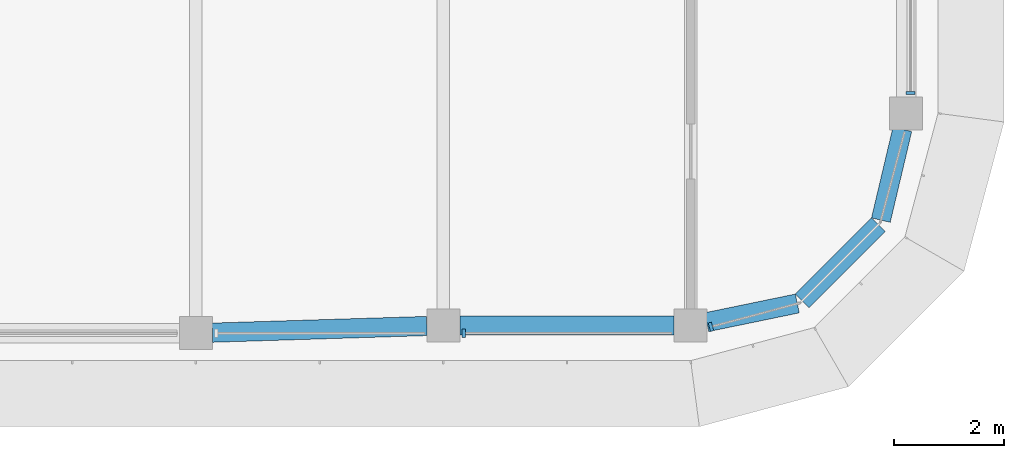
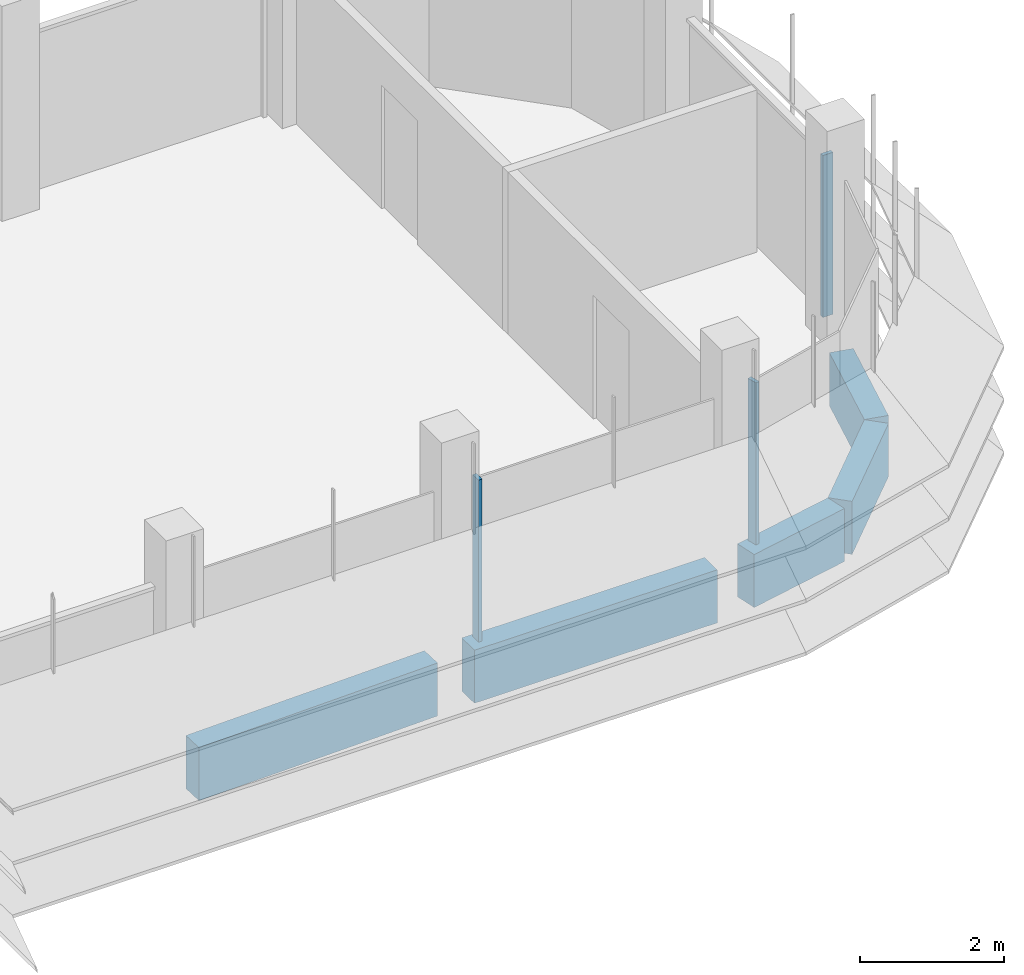
# One storey, part 5 of 19: 5 beams, 3 members, 3 elements without a shape of their own.
"""IFC4 building model written with IfcOpenShell, lengths in metres."""

from ifc_helpers import new_model, si_unit, direction, frame, origin, origin_2d, place, context, subcontext, project, spatial, polyline, rectangle, outline, extrude, source, transform, mapped, material, material_profile, profile_set, type_object, element, aggregate, save


model = new_model("IFC4")

# Units and contexts
model_context = context("Model", 3, precision=1e-05, world=origin(), true_north=direction((0.0, 1.0)))
body_context = subcontext(model_context, "Body", "Model", "MODEL_VIEW")
ifc_project = project(units=[si_unit("LENGTHUNIT", "METRE"), si_unit("AREAUNIT", "SQUARE_METRE"), si_unit("VOLUMEUNIT", "CUBIC_METRE"), si_unit("PLANEANGLEUNIT", "RADIAN"), si_unit("MASSUNIT", "GRAM", prefix="KILO")], contexts=[model_context])

# Site, building, storey
site_placement = place(None, origin())
site = spatial("IfcSite", under=ifc_project, at=site_placement, CompositionType="ELEMENT")
building_placement = place(site_placement, origin())
building = spatial("IfcBuilding", under=site, at=building_placement, Name="Zarbagh Exchange Tower", CompositionType="ELEMENT")
storey_placement = place(building_placement, frame((0.0, 0.0, 276.39990234375)))
storey = spatial("IfcBuildingStorey", under=building, at=storey_placement, Name="L68", CompositionType="ELEMENT", Elevation=276.39990234375)

# Beams
ifc_material_1 = material(Name="Concrete C40/50", Category="concrete")
ifc_material_profile = material_profile(ifc_material_1, rectangle(XDim=0.35009765625, YDim=0.89990234375, at=origin_2d()), Name="RC spandrel beam 350 x 900 C40/50")
ifc_profile_set = profile_set([ifc_material_profile], Name="Concrete C40/50")
beam_type = type_object("IfcBeamType", Name="RC spandrel beam 350 x 900 C40/50", PredefinedType="SPANDREL", material=ifc_profile_set)
beam_1_placement = place(storey_placement, frame((28.600830078125, -2.5419921875, -0.599853515625), z_axis=(-0.230258391117, -0.973129525459, 0.0), x_axis=(0.973129525459, -0.230258391117, 0.0)))
element("IfcBeam", 1, at=beam_1_placement, inside=storey, type_object=beam_type, Name="RC spandrel beam", PredefinedType="SPANDREL", context=body_context, shape_type="SweptSolid", body=[
    extrude(rectangle(XDim=0.35009765625, YDim=0.89990234375, at=origin_2d()), origin(), (0.0, 0.0, 1.0), 1.696533203125),
])
beam_2_placement = place(storey_placement, frame((28.163818359375, -4.2763671875, -0.599853515625), z_axis=(-0.707106781187, -0.707106781187, 0.0), x_axis=(0.707106781187, -0.707106781187, 0.0)))
element("IfcBeam", 2, at=beam_2_placement, inside=storey, type_object=beam_type, Name="RC spandrel beam", PredefinedType="SPANDREL", context=body_context, shape_type="SweptSolid", body=[
    extrude(rectangle(XDim=0.35009765625, YDim=0.89990234375, at=origin_2d()), origin(), (0.0, 0.0, 1.0), 1.95947265625),
])
beam_3_placement = place(storey_placement, frame((26.68994140625, -5.70947265625, -0.599853515625), z_axis=(-0.979349753205, -0.202173343684, 0.0), x_axis=(0.202173343684, -0.979349753205, 0.0)))
element("IfcBeam", 3, at=beam_3_placement, inside=storey, type_object=beam_type, Name="RC spandrel beam", PredefinedType="SPANDREL", context=body_context, shape_type="SweptSolid", body=[
    extrude(rectangle(XDim=0.35009765625, YDim=0.89990234375, at=origin_2d()), origin(), (0.0, 0.0, 1.0), 1.680908203125),
])
beam_4_placement = place(storey_placement, frame((24.449951171875, -6.110107421875, -0.599853515625), z_axis=(-1.0, 0.0, 0.0), x_axis=(0.0, -1.0, 0.0)))
element("IfcBeam", 4, at=beam_4_placement, inside=storey, type_object=beam_type, Name="RC spandrel beam", PredefinedType="SPANDREL", context=body_context, shape_type="SweptSolid", body=[
    extrude(rectangle(XDim=0.35009765625, YDim=0.89990234375, at=origin_2d()), origin(), (0.0, 0.0, 1.0), 3.89990234375),
])
beam_5_placement = place(storey_placement, frame((19.9501953125, -6.119384765625, -0.599853515625), z_axis=(-0.999516460907, -0.031094121249, 0.0), x_axis=(0.031094121249, -0.999516460907, 0.0)))
element("IfcBeam", 5, at=beam_5_placement, inside=storey, type_object=beam_type, Name="RC spandrel beam", PredefinedType="SPANDREL", context=body_context, shape_type="SweptSolid", body=[
    extrude(rectangle(XDim=0.35009765625, YDim=0.89990234375, at=origin_2d()), origin(), (0.0, 0.0, 1.0), 3.90234375),
])

# Curtain wall, member
ifc_material_2 = material(Name="Anodised aluminium frame and glazing", Category="aluminium")
curtain_wall_type = type_object("IfcCurtainWallType", Name="CWB Ribbon glazing, upper zones", PredefinedType="NOTDEFINED", material=ifc_material_2)
curtain_wall_1_placement = place(storey_placement, origin())
curtain_wall_1 = element("IfcCurtainWall", 6, at=curtain_wall_1_placement, inside=storey, type_object=curtain_wall_type, Name="CWB75 curtain wall", PredefinedType="NOTDEFINED")
ifc_material_3 = material(Name="Anodised aluminium frame", Category="aluminium")
member_type = type_object("IfcMemberType", Name="MUB Mullion, anodised aluminium frame", PredefinedType="MULLION", material=ifc_material_3)
shared_shape = source(origin(), body_context, "Body", "SweptSolid", [
    extrude(outline(polyline([(0.0, -0.080078125), (0.06005859375, -0.080078125), (0.06005859375, 0.080078125), (0.0, 0.080078125), (0.0, -0.080078125)])), origin(), (0.0, 0.0, 1.0), 2.75),
])
placement = place(storey_placement, origin())
member_1 = element("IfcMember", 7, at=placement, type_object=member_type, Name="CWB75 mullion 3.1", PredefinedType="MULLION", context=body_context, shape_type="MappedRepresentation", body=[
    mapped(shared_shape, transform((20.590087890625, -6.25, 0.0), x_axis=(1.0, 0.0, 0.0), y_axis=(0.0, 1.0, 0.0), z_axis=(0.0, 0.0, 1.0))),
])
aggregate(curtain_wall_1, [member_1])

curtain_wall_2_placement = place(storey_placement, origin())
curtain_wall_2 = element("IfcCurtainWall", 8, at=curtain_wall_2_placement, inside=storey, type_object=curtain_wall_type, Name="CWB76 curtain wall", PredefinedType="NOTDEFINED")
member_2 = element("IfcMember", 9, at=placement, type_object=member_type, Name="CWB76 mullion 1.1", PredefinedType="MULLION", context=body_context, shape_type="MappedRepresentation", body=[
    mapped(shared_shape, transform((25.08984375, -6.141357421875, 0.0), x_axis=(0.965924289636, 0.258824779902, 0.0), y_axis=(-0.258824779902, 0.965924289636, 0.0), z_axis=(0.0, 0.0, 1.0))),
])
aggregate(curtain_wall_2, [member_2])

curtain_wall_3_placement = place(storey_placement, origin())
curtain_wall_3 = element("IfcCurtainWall", 10, at=curtain_wall_3_placement, inside=storey, type_object=curtain_wall_type, Name="CWB83 curtain wall", PredefinedType="NOTDEFINED")
member_3 = element("IfcMember", 11, at=placement, type_object=member_type, Name="CWB83 mullion 1.1", PredefinedType="MULLION", context=body_context, shape_type="MappedRepresentation", body=[
    mapped(shared_shape, transform((28.75, -1.909912109375, 0.0), x_axis=(0.0, 1.0, 0.0), y_axis=(-1.0, 0.0, 0.0), z_axis=(0.0, 0.0, 1.0))),
])
aggregate(curtain_wall_3, [member_3])

save(model, "model.ifc")
